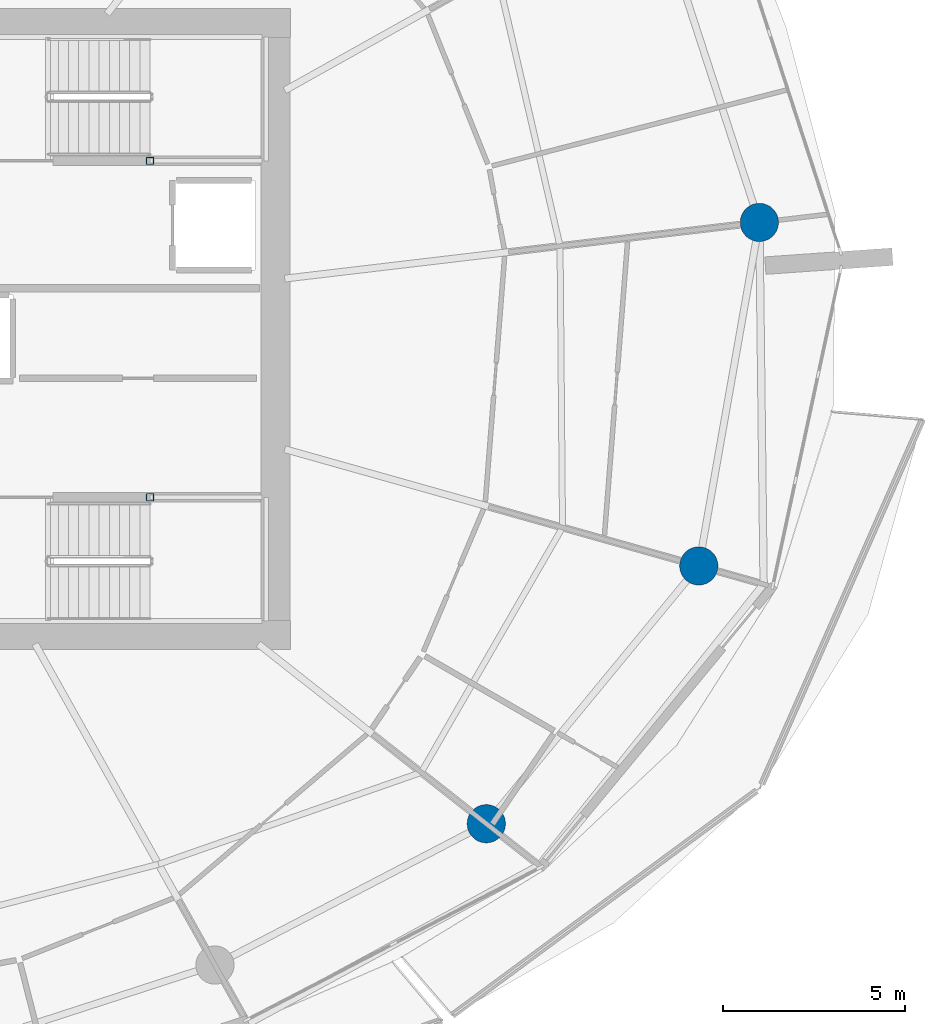
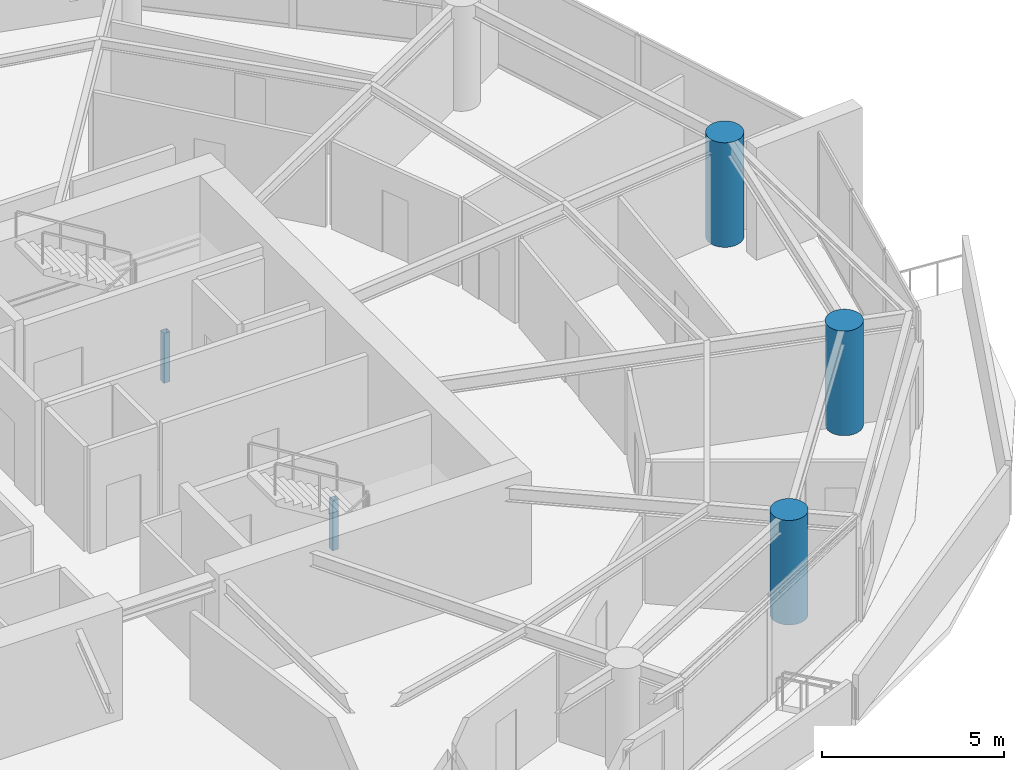
# One storey, part 3 of 20: 5 columns.
"""IFC4 building model written with IfcOpenShell, lengths in metres."""

from ifc_helpers import new_model, si_unit, direction, frame, origin, origin_2d, place, context, subcontext, project, spatial, hollow_rectangle, circle, extrude, material, material_profile, profile_set, type_object, element, save


model = new_model("IFC4")

# Units and contexts
model_context = context("Model", 3, precision=1e-05, world=origin(), true_north=direction((0.0, 1.0)))
body_context = subcontext(model_context, "Body", "Model", "MODEL_VIEW")
ifc_project = project(units=[si_unit("LENGTHUNIT", "METRE"), si_unit("AREAUNIT", "SQUARE_METRE"), si_unit("VOLUMEUNIT", "CUBIC_METRE"), si_unit("PLANEANGLEUNIT", "RADIAN"), si_unit("MASSUNIT", "GRAM", prefix="KILO")], contexts=[model_context])

# Site, building, storey
site_placement = place(None, origin())
site = spatial("IfcSite", under=ifc_project, at=site_placement, CompositionType="ELEMENT")
building_placement = place(site_placement, origin())
building = spatial("IfcBuilding", under=site, at=building_placement, Name="Kazma Halo Residences", CompositionType="ELEMENT")
storey_placement = place(building_placement, frame((0.0, 0.0, 154.050048828125)))
storey = spatial("IfcBuildingStorey", under=building, at=storey_placement, Name="L38", CompositionType="ELEMENT", Elevation=154.050048828125)

# Columns
ifc_material_1 = material(Name="Steel S355", Category="steel")
ifc_material_profile_1 = material_profile(ifc_material_1, hollow_rectangle(XDim=0.199951171875, YDim=0.199951171875, WallThickness=0.010009765625, InnerFilletRadius=0.010009765625, OuterFilletRadius=0.02001953125, at=origin_2d()), Name="SHS200x200x10")
ifc_profile_set_1 = profile_set([ifc_material_profile_1], Name="Steel S355")
column_type_1 = type_object("IfcColumnType", Name="COL-LP-SHS200", PredefinedType="COLUMN", material=ifc_profile_set_1)
for number, where, z_axis, x_axis, name in (
    (1, (56.0, 46.6201171875, 0.0), (0.0, 0.0, 1.0), (1.0, 0.0, 0.0), "L38 ST-02 landing pilaster 1"),
    (2, (56.0, 37.3798828125, 0.0), (0.0, 0.0, 1.0), (1.0, 0.0, 0.0), "L38 ST-03 landing pilaster 1"),
):
    element("IfcColumn", number, at=place(storey_placement, frame(where, z_axis=z_axis, x_axis=x_axis)), inside=storey, type_object=column_type_1, Name=name, PredefinedType="COLUMN", context=body_context, shape_type="SweptSolid", body=[
        extrude(hollow_rectangle(XDim=0.199951171875, YDim=0.199951171875, WallThickness=0.010009765625, InnerFilletRadius=0.010009765625, OuterFilletRadius=0.02001953125, at=origin_2d()), origin(), (0.0, 0.0, 1.0), 1.669921875),
    ])
ifc_material_2 = material(Name="Concrete C80/95", Category="concrete")
ifc_material_profile_2 = material_profile(ifc_material_2, circle(Radius=0.52490234375, at=origin_2d()), Name="CIRC1050")
ifc_profile_set_2 = profile_set([ifc_material_profile_2], Name="Concrete C80/95")
column_type_2 = type_object("IfcColumnType", Name="COL-PERIM-1050", PredefinedType="COLUMN", material=ifc_profile_set_2)
for number, where, z_axis, x_axis, name in (
    (3, (65.234375, 28.41357421875, 0.0), (0.0, 0.0, 1.0), (1.0, 0.0, 0.0), "L38 perimeter ring column P14"),
    (4, (71.06982421875, 35.49365234375, 0.0), (0.0, 0.0, 1.0), (1.0, 0.0, 0.0), "L38 perimeter ring column P15"),
    (5, (72.733154296875, 44.927490234375, 0.0), (0.0, 0.0, 1.0), (1.0, 0.0, 0.0), "L38 perimeter ring column P16"),
):
    element("IfcColumn", number, at=place(storey_placement, frame(where, z_axis=z_axis, x_axis=x_axis)), inside=storey, type_object=column_type_2, Name=name, PredefinedType="COLUMN", context=body_context, shape_type="SweptSolid", body=[
        extrude(circle(Radius=0.52490234375, at=origin_2d()), origin(), (0.0, 0.0, 1.0), 3.5),
    ])

save(model, "model.ifc")
